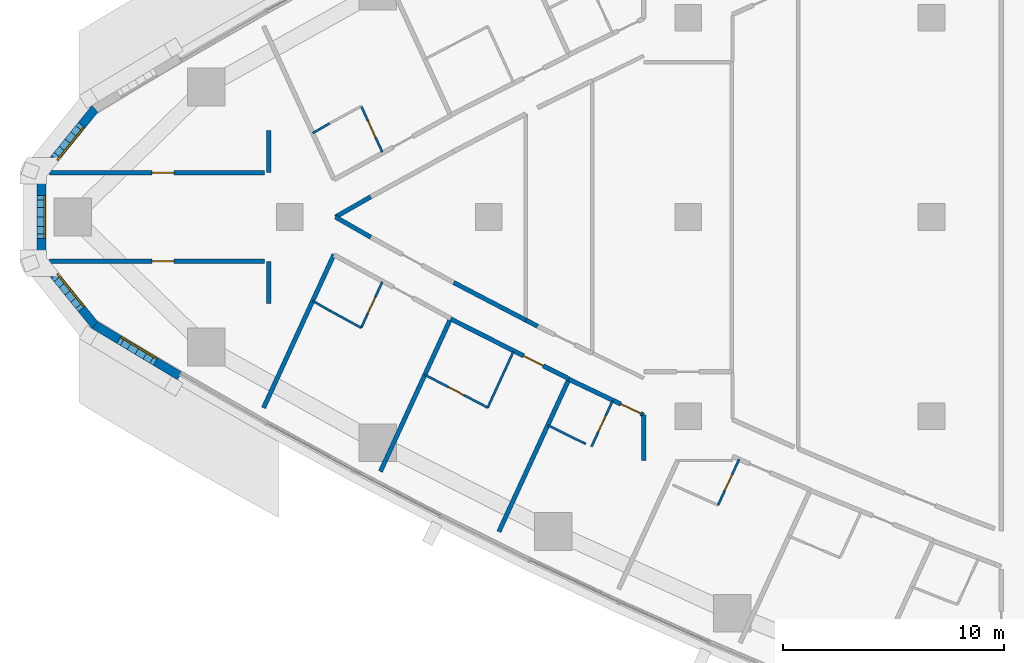
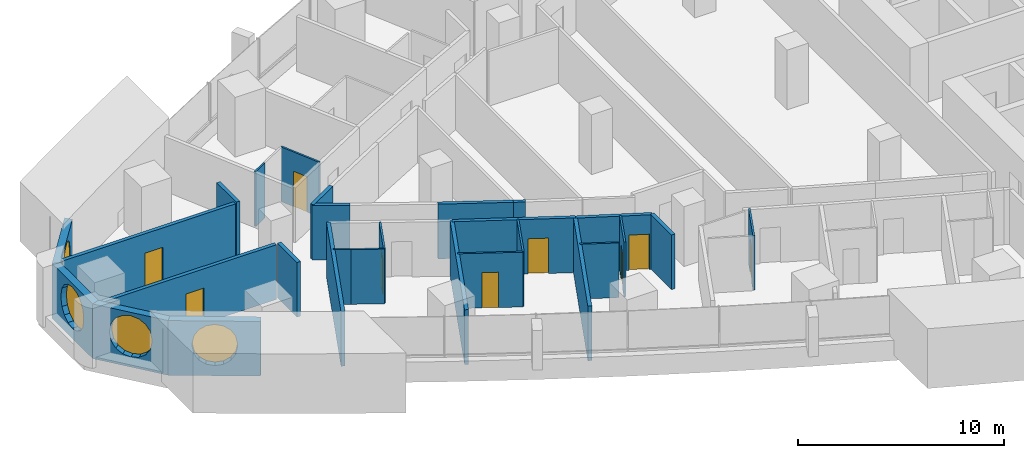
# One storey, part 8 of 17: 28 walls, 9 doors, 4 windows, 13 openings.
"""IFC4 building model written with IfcOpenShell, lengths in metres."""

from ifc_helpers import new_model, si_unit, direction, frame, frame_2d, origin, place, context, subcontext, project, spatial, polyline, rectangle, outline, extrude, material, layer, layer_set, type_object, element, fill, save


model = new_model("IFC4")

# Units and contexts
model_context = context("Model", 3, precision=1e-05, world=origin(), true_north=direction((0.0, 1.0)))
body_context = subcontext(model_context, "Body", "Model", "MODEL_VIEW")
ifc_project = project(units=[si_unit("LENGTHUNIT", "METRE"), si_unit("AREAUNIT", "SQUARE_METRE"), si_unit("VOLUMEUNIT", "CUBIC_METRE"), si_unit("PLANEANGLEUNIT", "RADIAN"), si_unit("MASSUNIT", "GRAM", prefix="KILO")], contexts=[model_context])

# Site, building, storey
site_placement = place(None, origin())
site = spatial("IfcSite", under=ifc_project, at=site_placement, CompositionType="ELEMENT")
building_placement = place(site_placement, origin())
building = spatial("IfcBuilding", under=site, at=building_placement, Name="Ostrand Prow Hotel Tower", CompositionType="ELEMENT")
storey_placement = place(building_placement, frame((0.0, 0.0, 106.199951171875)))
storey = spatial("IfcBuildingStorey", under=building, at=storey_placement, Name="L25", CompositionType="ELEMENT", Elevation=106.199951171875)

# Wall
ifc_material_1 = material(Name="Plasterboard partition")
ifc_layer_1 = layer(ifc_material_1, 0.10009765625)
ifc_layer_set_1 = layer_set([ifc_layer_1], Name="Plasterboard partition")
wall_type_1 = type_object("IfcWallType", Name="Partition 100 bathroom wall", PredefinedType="PARTITIONING", material=ifc_layer_set_1)
wall_1_placement = place(storey_placement, frame((17.0361328125, 3.7900390625, 0.0), z_axis=(0.0, 0.0, 1.0), x_axis=(0.867629162742, 0.497211862248, 0.0)))
element("IfcWall", 1, at=wall_1_placement, inside=storey, type_object=wall_type_1, Name="BATHROOM WALL", PredefinedType="PARTITIONING", context=body_context, shape_type="SweptSolid", body=[
    extrude(rectangle(XDim=0.8818359375, YDim=0.10009765625, at=frame_2d((0.44091796875, 0.0))), origin(), (0.0, 0.0, 1.0), 3.25),
])

# Wall, opening, door
wall_2_placement = place(storey_placement, frame((19.2275390625, 5.00830078125, 0.0), z_axis=(0.0, 0.0, 1.0), x_axis=(0.417450047292, -0.908699872354, 0.0)))
wall_2 = element("IfcWall", 2, at=wall_2_placement, inside=storey, type_object=wall_type_1, Name="BATHROOM WALL", PredefinedType="PARTITIONING", context=body_context, shape_type="SweptSolid", body=[
    extrude(rectangle(XDim=2.28271484375, YDim=0.10009765625, at=frame_2d((1.141357421875, 0.0))), origin(), (0.0, 0.0, 1.0), 3.25),
])
opening_1_placement = place(wall_2_placement, frame((0.75, 0.0, 0.0)))
opening_1 = element("IfcOpeningElement", 3, at=opening_1_placement, cuts=wall_2, Name="Opening D2", PredefinedType="OPENING", context=body_context, shape_type="SweptSolid", body=[
    extrude(rectangle(XDim=0.800048828125, YDim=2.10009765625, at=frame_2d((0.39990234375, 1.050048828125))), frame((0.0, 0.06005859375, 0.0), z_axis=(0.0, -1.0, 0.0), x_axis=(1.0, 0.0, 0.0)), (0.0, 0.0, 1.0), 0.1201171875),
])
ifc_material_2 = material(Name="Timber door leaf", Category="wood")
door_type_1 = type_object("IfcDoorType", Name="Bathroom door 800", OperationType="SINGLE_SWING_LEFT", PredefinedType="DOOR", material=ifc_material_2)
door_1_placement = place(opening_1_placement, origin())
door_1 = element("IfcDoor", 4, at=door_1_placement, inside=storey, type_object=door_type_1, Name="DOOR", OperationType="SINGLE_SWING_LEFT", OverallHeight=2.10009765625, OverallWidth=0.800048828125, PredefinedType="DOOR", context=body_context, shape_type="SweptSolid", body=[
    extrude(rectangle(XDim=0.800048828125, YDim=2.10009765625, at=frame_2d((0.39990234375, 1.050048828125))), frame((0.0, 0.02490234375, 0.0), z_axis=(0.0, -1.0, 0.0), x_axis=(1.0, 0.0, 0.0)), (0.0, 0.0, 1.0), 0.050048828125),
])
fill(opening_1, door_1)

wall_3_placement = place(storey_placement, frame((20.180419921875, -2.93408203125, 0.0), z_axis=(0.0, 0.0, 1.0), x_axis=(-0.417450047292, -0.908699872354, 0.0)))
wall_3 = element("IfcWall", 5, at=wall_3_placement, inside=storey, type_object=wall_type_1, Name="BATHROOM WALL", PredefinedType="PARTITIONING", context=body_context, shape_type="SweptSolid", body=[
    extrude(rectangle(XDim=2.28271484375, YDim=0.10009765625, at=frame_2d((1.141357421875, 0.0))), origin(), (0.0, 0.0, 1.0), 3.25),
])
opening_2_placement = place(wall_3_placement, frame((0.75, 0.0, 0.0)))
opening_2 = element("IfcOpeningElement", 6, at=opening_2_placement, cuts=wall_3, Name="Opening D2", PredefinedType="OPENING", context=body_context, shape_type="SweptSolid", body=[
    extrude(rectangle(XDim=0.800048828125, YDim=2.10009765625, at=frame_2d((0.39990234375, 1.050048828125))), frame((0.0, 0.06005859375, 0.0), z_axis=(0.0, -1.0, 0.0), x_axis=(1.0, 0.0, 0.0)), (0.0, 0.0, 1.0), 0.1201171875),
])
door_2_placement = place(opening_2_placement, origin())
door_2 = element("IfcDoor", 7, at=door_2_placement, inside=storey, type_object=door_type_1, Name="DOOR", OperationType="SINGLE_SWING_LEFT", OverallHeight=2.10009765625, OverallWidth=0.800048828125, PredefinedType="DOOR", context=body_context, shape_type="SweptSolid", body=[
    extrude(rectangle(XDim=0.800048828125, YDim=2.10009765625, at=frame_2d((0.39990234375, 1.050048828125))), frame((0.0, 0.02490234375, 0.0), z_axis=(0.0, -1.0, 0.0), x_axis=(1.0, 0.0, 0.0)), (0.0, 0.0, 1.0), 0.050048828125),
])
fill(opening_2, door_2)

# Walls
wall_4_placement = place(storey_placement, frame((19.2275390625, -5.00830078125, 0.0), z_axis=(0.0, 0.0, 1.0), x_axis=(-0.877424481957, 0.479714788663, 0.0)))
element("IfcWall", 8, at=wall_4_placement, inside=storey, type_object=wall_type_1, Name="BATHROOM WALL", PredefinedType="PARTITIONING", context=body_context, shape_type="SweptSolid", body=[
    extrude(rectangle(XDim=1.62548828125, YDim=0.10009765625, at=frame_2d((0.812744140625, 0.0))), origin(), (0.0, 0.0, 1.0), 3.25),
])
wall_5_placement = place(storey_placement, frame((17.80126953125, -4.228515625, 0.0), z_axis=(0.0, 0.0, 1.0), x_axis=(-0.867629162742, 0.497211862248, 0.0)))
element("IfcWall", 9, at=wall_5_placement, inside=storey, type_object=wall_type_1, Name="BATHROOM WALL", PredefinedType="PARTITIONING", context=body_context, shape_type="SweptSolid", body=[
    extrude(rectangle(XDim=0.8818359375, YDim=0.10009765625, at=frame_2d((0.44091796875, 0.0))), origin(), (0.0, 0.0, 1.0), 3.25),
])
wall_6_placement = place(storey_placement, frame((26.10595703125, -6.085205078125, 0.0), z_axis=(0.0, 0.0, 1.0), x_axis=(-0.417431588167, -0.908708352113, 0.0)))
element("IfcWall", 10, at=wall_6_placement, inside=storey, type_object=wall_type_1, Name="BATHROOM WALL", PredefinedType="PARTITIONING", context=body_context, shape_type="SweptSolid", body=[
    extrude(rectangle(XDim=2.780517578125, YDim=0.10009765625, at=frame_2d((1.39013671875, 0.0))), origin(), (0.0, 0.0, 1.0), 3.25),
])

# Wall, opening, door
wall_7_placement = place(storey_placement, frame((24.9453125, -8.61181640625, 0.0), z_axis=(0.0, 0.0, 1.0), x_axis=(-0.886865947566, 0.46202682936, 0.0)))
wall_7 = element("IfcWall", 11, at=wall_7_placement, inside=storey, type_object=wall_type_1, Name="BATHROOM WALL", PredefinedType="PARTITIONING", context=body_context, shape_type="SweptSolid", body=[
    extrude(rectangle(XDim=3.203857421875, YDim=0.10009765625, at=frame_2d((1.60205078125, 0.0))), origin(), (0.0, 0.0, 1.0), 3.25),
])
opening_3_placement = place(wall_7_placement, frame((1.199951171875, 0.0, 0.0)))
opening_3 = element("IfcOpeningElement", 12, at=opening_3_placement, cuts=wall_7, Name="Opening D2", PredefinedType="OPENING", context=body_context, shape_type="SweptSolid", body=[
    extrude(rectangle(XDim=0.800048828125, YDim=2.10009765625, at=frame_2d((0.39990234375, 1.050048828125))), frame((0.0, 0.06005859375, 0.0), z_axis=(0.0, -1.0, 0.0), x_axis=(1.0, 0.0, 0.0)), (0.0, 0.0, 1.0), 0.1201171875),
])
door_3_placement = place(opening_3_placement, origin())
door_3 = element("IfcDoor", 13, at=door_3_placement, inside=storey, type_object=door_type_1, Name="DOOR", OperationType="SINGLE_SWING_LEFT", OverallHeight=2.10009765625, OverallWidth=0.800048828125, PredefinedType="DOOR", context=body_context, shape_type="SweptSolid", body=[
    extrude(rectangle(XDim=0.800048828125, YDim=2.10009765625, at=frame_2d((0.39990234375, 1.050048828125))), frame((0.0, 0.02490234375, 0.0), z_axis=(0.0, -1.0, 0.0), x_axis=(1.0, 0.0, 0.0)), (0.0, 0.0, 1.0), 0.050048828125),
])
fill(opening_3, door_3)

wall_8_placement = place(storey_placement, frame((30.586181640625, -8.310302734375, 0.0), z_axis=(0.0, 0.0, 1.0), x_axis=(-0.417466676952, -0.908692232626, 0.0)))
wall_8 = element("IfcWall", 14, at=wall_8_placement, inside=storey, type_object=wall_type_1, Name="BATHROOM WALL", PredefinedType="PARTITIONING", context=body_context, shape_type="SweptSolid", body=[
    extrude(rectangle(XDim=2.27734375, YDim=0.10009765625, at=frame_2d((1.138671875, 0.0))), origin(), (0.0, 0.0, 1.0), 3.25),
])
opening_4_placement = place(wall_8_placement, frame((0.75, 0.0, 0.0)))
opening_4 = element("IfcOpeningElement", 15, at=opening_4_placement, cuts=wall_8, Name="Opening D2", PredefinedType="OPENING", context=body_context, shape_type="SweptSolid", body=[
    extrude(rectangle(XDim=0.800048828125, YDim=2.10009765625, at=frame_2d((0.39990234375, 1.050048828125))), frame((0.0, 0.06005859375, 0.0), z_axis=(0.0, -1.0, 0.0), x_axis=(1.0, 0.0, 0.0)), (0.0, 0.0, 1.0), 0.1201171875),
])
door_4_placement = place(opening_4_placement, origin())
door_4 = element("IfcDoor", 16, at=door_4_placement, inside=storey, type_object=door_type_1, Name="DOOR", OperationType="SINGLE_SWING_LEFT", OverallHeight=2.10009765625, OverallWidth=0.800048828125, PredefinedType="DOOR", context=body_context, shape_type="SweptSolid", body=[
    extrude(rectangle(XDim=0.800048828125, YDim=2.10009765625, at=frame_2d((0.39990234375, 1.050048828125))), frame((0.0, 0.02490234375, 0.0), z_axis=(0.0, -1.0, 0.0), x_axis=(1.0, 0.0, 0.0)), (0.0, 0.0, 1.0), 0.050048828125),
])
fill(opening_4, door_4)

# Wall
wall_9_placement = place(storey_placement, frame((29.371337890625, -10.255126953125, 0.0), z_axis=(0.0, 0.0, 1.0), x_axis=(-0.895982200486, 0.444089964324, 0.0)))
element("IfcWall", 17, at=wall_9_placement, inside=storey, type_object=wall_type_1, Name="BATHROOM WALL", PredefinedType="PARTITIONING", context=body_context, shape_type="SweptSolid", body=[
    extrude(rectangle(XDim=1.90869140625, YDim=0.10009765625, at=frame_2d((0.954345703125, 0.0))), origin(), (0.0, 0.0, 1.0), 3.25),
])

# Wall, opening, door
wall_10_placement = place(storey_placement, frame((36.3046875, -10.9541015625, 0.0), z_axis=(0.0, 0.0, 1.0), x_axis=(-0.41750734959, -0.908673545911, 0.0)))
wall_10 = element("IfcWall", 18, at=wall_10_placement, inside=storey, type_object=wall_type_1, Name="BATHROOM WALL", PredefinedType="PARTITIONING", context=body_context, shape_type="SweptSolid", body=[
    extrude(rectangle(XDim=2.277099609375, YDim=0.10009765625, at=frame_2d((1.138671875, 0.0))), origin(), (0.0, 0.0, 1.0), 3.25),
])
opening_5_placement = place(wall_10_placement, frame((0.75, 0.0, 0.0)))
opening_5 = element("IfcOpeningElement", 19, at=opening_5_placement, cuts=wall_10, Name="Opening D2", PredefinedType="OPENING", context=body_context, shape_type="SweptSolid", body=[
    extrude(rectangle(XDim=0.800048828125, YDim=2.10009765625, at=frame_2d((0.39990234375, 1.050048828125))), frame((0.0, 0.06005859375, 0.0), z_axis=(0.0, -1.0, 0.0), x_axis=(1.0, 0.0, 0.0)), (0.0, 0.0, 1.0), 0.1201171875),
])
door_5_placement = place(opening_5_placement, origin())
door_5 = element("IfcDoor", 20, at=door_5_placement, inside=storey, type_object=door_type_1, Name="DOOR", OperationType="SINGLE_SWING_LEFT", OverallHeight=2.10009765625, OverallWidth=0.800048828125, PredefinedType="DOOR", context=body_context, shape_type="SweptSolid", body=[
    extrude(rectangle(XDim=0.800048828125, YDim=2.10009765625, at=frame_2d((0.39990234375, 1.050048828125))), frame((0.0, 0.02490234375, 0.0), z_axis=(0.0, -1.0, 0.0), x_axis=(1.0, 0.0, 0.0)), (0.0, 0.0, 1.0), 0.050048828125),
])
fill(opening_5, door_5)

ifc_material_3 = material(Name="Plasterboard partition")
ifc_layer_2 = layer(ifc_material_3, 0.199951171875)
ifc_layer_set_2 = layer_set([ifc_layer_2], Name="Plasterboard partition")
wall_type_2 = type_object("IfcWallType", Name="Partition 200 corridor wall", PredefinedType="PARTITIONING", material=ifc_layer_set_2)
wall_11_placement = place(storey_placement, frame((5.144775390625, 2.0, 0.0), z_axis=(0.0, 0.0, 1.0), x_axis=(1.0, 0.0, 0.0)))
wall_11 = element("IfcWall", 21, at=wall_11_placement, inside=storey, type_object=wall_type_2, Name="CORRIDOR WALL", PredefinedType="PARTITIONING", context=body_context, shape_type="SweptSolid", body=[
    extrude(rectangle(XDim=9.708984375, YDim=0.199951171875, at=frame_2d((4.8544921875, 0.0))), origin(), (0.0, 0.0, 1.0), 3.25),
])
opening_6_placement = place(wall_11_placement, frame((4.624755859375, 0.0, 0.0)))
opening_6 = element("IfcOpeningElement", 22, at=opening_6_placement, cuts=wall_11, Name="Opening D1", PredefinedType="OPENING", context=body_context, shape_type="SweptSolid", body=[
    extrude(rectangle(XDim=1.0, YDim=2.10009765625, at=frame_2d((0.5, 1.050048828125))), frame((0.0, 0.10986328125, 0.0), z_axis=(0.0, -1.0, 0.0), x_axis=(1.0, 0.0, 0.0)), (0.0, 0.0, 1.0), 0.219970703125),
])
ifc_material_4 = material(Name="Timber door leaf", Category="wood")
door_type_2 = type_object("IfcDoorType", Name="Guest room door 1000", OperationType="SINGLE_SWING_LEFT", PredefinedType="DOOR", material=ifc_material_4)
door_6_placement = place(opening_6_placement, origin())
door_6 = element("IfcDoor", 23, at=door_6_placement, inside=storey, type_object=door_type_2, Name="DOOR", OperationType="SINGLE_SWING_LEFT", OverallHeight=2.10009765625, OverallWidth=1.0, PredefinedType="DOOR", context=body_context, shape_type="SweptSolid", body=[
    extrude(rectangle(XDim=1.0, YDim=2.10009765625, at=frame_2d((0.5, 1.050048828125))), frame((0.0, 0.02490234375, 0.0), z_axis=(0.0, -1.0, 0.0), x_axis=(1.0, 0.0, 0.0)), (0.0, 0.0, 1.0), 0.050048828125),
])
fill(opening_6, door_6)

wall_12_placement = place(storey_placement, frame((5.144775390625, -2.0, 0.0), z_axis=(0.0, 0.0, 1.0), x_axis=(1.0, 0.0, 0.0)))
wall_12 = element("IfcWall", 24, at=wall_12_placement, inside=storey, type_object=wall_type_2, Name="CORRIDOR WALL", PredefinedType="PARTITIONING", context=body_context, shape_type="SweptSolid", body=[
    extrude(rectangle(XDim=9.708984375, YDim=0.199951171875, at=frame_2d((4.8544921875, 0.0))), origin(), (0.0, 0.0, 1.0), 3.25),
])
opening_7_placement = place(wall_12_placement, frame((4.624755859375, 0.0, 0.0)))
opening_7 = element("IfcOpeningElement", 25, at=opening_7_placement, cuts=wall_12, Name="Opening D1R", PredefinedType="OPENING", context=body_context, shape_type="SweptSolid", body=[
    extrude(rectangle(XDim=1.0, YDim=2.10009765625, at=frame_2d((0.5, 1.050048828125))), frame((0.0, 0.10986328125, 0.0), z_axis=(0.0, -1.0, 0.0), x_axis=(1.0, 0.0, 0.0)), (0.0, 0.0, 1.0), 0.219970703125),
])
ifc_material_5 = material(Name="Timber door leaf", Category="wood")
door_type_3 = type_object("IfcDoorType", Name="Guest room door 1000 right", OperationType="SINGLE_SWING_RIGHT", PredefinedType="DOOR", material=ifc_material_5)
door_7_placement = place(opening_7_placement, origin())
door_7 = element("IfcDoor", 26, at=door_7_placement, inside=storey, type_object=door_type_3, Name="DOOR", OperationType="SINGLE_SWING_RIGHT", OverallHeight=2.10009765625, OverallWidth=1.0, PredefinedType="DOOR", context=body_context, shape_type="SweptSolid", body=[
    extrude(rectangle(XDim=1.0, YDim=2.10009765625, at=frame_2d((0.5, 1.050048828125))), frame((0.0, 0.02490234375, 0.0), z_axis=(0.0, -1.0, 0.0), x_axis=(1.0, 0.0, 0.0)), (0.0, 0.0, 1.0), 0.050048828125),
])
fill(opening_7, door_7)

wall_13_placement = place(storey_placement, frame((23.265625, -4.602294921875, 0.0), z_axis=(0.0, 0.0, 1.0), x_axis=(0.892007141151, -0.452021304958, 0.0)))
wall_13 = element("IfcWall", 27, at=wall_13_placement, inside=storey, type_object=wall_type_2, Name="CORRIDOR WALL", PredefinedType="PARTITIONING", context=body_context, shape_type="SweptSolid", body=[
    extrude(rectangle(XDim=6.00439453125, YDim=0.199951171875, at=frame_2d((3.002197265625, 0.0))), origin(), (0.0, 0.0, 1.0), 3.25),
])
opening_8_placement = place(wall_13_placement, frame((3.699951171875, 0.0, 0.0)))
opening_8 = element("IfcOpeningElement", 28, at=opening_8_placement, cuts=wall_13, Name="Opening D1", PredefinedType="OPENING", context=body_context, shape_type="SweptSolid", body=[
    extrude(rectangle(XDim=1.0, YDim=2.10009765625, at=frame_2d((0.5, 1.050048828125))), frame((0.0, 0.10986328125, 0.0), z_axis=(0.0, -1.0, 0.0), x_axis=(1.0, 0.0, 0.0)), (0.0, 0.0, 1.0), 0.219970703125),
])
door_8_placement = place(opening_8_placement, origin())
door_8 = element("IfcDoor", 29, at=door_8_placement, inside=storey, type_object=door_type_2, Name="DOOR", OperationType="SINGLE_SWING_LEFT", OverallHeight=2.10009765625, OverallWidth=1.0, PredefinedType="DOOR", context=body_context, shape_type="SweptSolid", body=[
    extrude(rectangle(XDim=1.0, YDim=2.10009765625, at=frame_2d((0.5, 1.050048828125))), frame((0.0, 0.02490234375, 0.0), z_axis=(0.0, -1.0, 0.0), x_axis=(1.0, 0.0, 0.0)), (0.0, 0.0, 1.0), 0.050048828125),
])
fill(opening_8, door_8)

wall_14_placement = place(storey_placement, frame((28.61328125, -7.334716796875, 0.0), z_axis=(0.0, 0.0, 1.0), x_axis=(0.902499429765, -0.430691048518, 0.0)))
wall_14 = element("IfcWall", 30, at=wall_14_placement, inside=storey, type_object=wall_type_2, Name="CORRIDOR WALL", PredefinedType="PARTITIONING", context=body_context, shape_type="SweptSolid", body=[
    extrude(rectangle(XDim=3.752685546875, YDim=0.199951171875, at=frame_2d((1.87646484375, 0.0))), origin(), (0.0, 0.0, 1.0), 3.25),
])
opening_9_placement = place(wall_14_placement, frame((2.60009765625, 0.0, 0.0)))
opening_9 = element("IfcOpeningElement", 31, at=opening_9_placement, cuts=wall_14, Name="Opening D1", PredefinedType="OPENING", context=body_context, shape_type="SweptSolid", body=[
    extrude(rectangle(XDim=1.0, YDim=2.10009765625, at=frame_2d((0.5, 1.050048828125))), frame((0.0, 0.10986328125, 0.0), z_axis=(0.0, -1.0, 0.0), x_axis=(1.0, 0.0, 0.0)), (0.0, 0.0, 1.0), 0.219970703125),
])
door_9_placement = place(opening_9_placement, origin())
door_9 = element("IfcDoor", 32, at=door_9_placement, inside=storey, type_object=door_type_2, Name="DOOR", OperationType="SINGLE_SWING_LEFT", OverallHeight=2.10009765625, OverallWidth=1.0, PredefinedType="DOOR", context=body_context, shape_type="SweptSolid", body=[
    extrude(rectangle(XDim=1.0, YDim=2.10009765625, at=frame_2d((0.5, 1.050048828125))), frame((0.0, 0.02490234375, 0.0), z_axis=(0.0, -1.0, 0.0), x_axis=(1.0, 0.0, 0.0)), (0.0, 0.0, 1.0), 0.050048828125),
])
fill(opening_9, door_9)

# Walls
for number, where, z_axis, x_axis, name in (
    (33, (19.6572265625, -0.912353515625, 0.0), (0.0, 0.0, 1.0), (-0.867694156962, 0.49709843087, 0.0), "CORRIDOR WALL"),
    (34, (18.064697265625, 0.0, 0.0), (0.0, 0.0, 1.0), (0.867694156962, 0.49709843087, 0.0), "CORRIDOR WALL"),
):
    element("IfcWall", number, at=place(storey_placement, frame(where, z_axis=z_axis, x_axis=x_axis)), inside=storey, type_object=wall_type_2, Name=name, PredefinedType="PARTITIONING", context=body_context, shape_type="SweptSolid", body=[
        extrude(rectangle(XDim=1.83544921875, YDim=0.199951171875, at=frame_2d((0.917724609375, 0.0))), origin(), (0.0, 0.0, 1.0), 3.25),
    ])
wall_15_placement = place(storey_placement, frame((26.66650390625, -4.659912109375, 0.0), z_axis=(0.0, 0.0, 1.0), x_axis=(-0.886891405098, 0.46197796004, 0.0)))
element("IfcWall", 35, at=wall_15_placement, inside=storey, type_object=wall_type_2, Name="CORRIDOR WALL", PredefinedType="PARTITIONING", context=body_context, shape_type="SweptSolid", body=[
    extrude(rectangle(XDim=3.675537109375, YDim=0.199951171875, at=frame_2d((1.837890625, 0.0))), origin(), (0.0, 0.0, 1.0), 3.25),
])
wall_16_placement = place(storey_placement, frame((15.0537109375, 3.90869140625, 0.0), z_axis=(0.0, 0.0, 1.0), x_axis=(0.0, -1.0, 0.0)))
element("IfcWall", 36, at=wall_16_placement, inside=storey, type_object=wall_type_2, Name="CORRIDOR WALL", PredefinedType="PARTITIONING", context=body_context, shape_type="SweptSolid", body=[
    extrude(rectangle(XDim=1.90380859375, YDim=0.199951171875, at=frame_2d((0.951904296875, 0.0))), origin(), (0.0, 0.0, 1.0), 3.25),
])
wall_17_placement = place(storey_placement, frame((15.0537109375, -2.0048828125, 0.0), z_axis=(0.0, 0.0, 1.0), x_axis=(0.0, -1.0, 0.0)))
element("IfcWall", 37, at=wall_17_placement, inside=storey, type_object=wall_type_2, Name="CORRIDOR WALL", PredefinedType="PARTITIONING", context=body_context, shape_type="SweptSolid", body=[
    extrude(rectangle(XDim=1.908447265625, YDim=0.199951171875, at=frame_2d((0.9541015625, 0.0))), origin(), (0.0, 0.0, 1.0), 3.25),
])
wall_18_placement = place(storey_placement, frame((32.0, -8.950927734375, 0.0), z_axis=(0.0, 0.0, 1.0), x_axis=(-0.001665276625, -0.999998613426, 0.0)))
element("IfcWall", 38, at=wall_18_placement, inside=storey, type_object=wall_type_2, Name="CORRIDOR WALL", PredefinedType="PARTITIONING", context=body_context, shape_type="SweptSolid", body=[
    extrude(rectangle(XDim=2.052490234375, YDim=0.199951171875, at=frame_2d((1.0263671875, 0.0))), origin(), (0.0, 0.0, 1.0), 3.25),
])
wall_19_placement = place(storey_placement, frame((27.1962890625, -4.935791015625, 0.0), z_axis=(0.0, 0.0, 1.0), x_axis=(-0.886948968309, 0.46186743511, 0.0)))
element("IfcWall", 39, at=wall_19_placement, inside=storey, type_object=wall_type_2, Name="CORRIDOR WALL", PredefinedType="PARTITIONING", context=body_context, shape_type="SweptSolid", body=[
    extrude(rectangle(XDim=0.597412109375, YDim=0.199951171875, at=frame_2d((0.298828125, 0.0))), origin(), (0.0, 0.0, 1.0), 3.25),
])
ifc_material_6 = material(Name="Plasterboard partition")
ifc_layer_3 = layer(ifc_material_6, 0.199951171875)
ifc_layer_set_3 = layer_set([ifc_layer_3], Name="Plasterboard partition")
wall_type_3 = type_object("IfcWallType", Name="Partition 200 key partition", PredefinedType="PARTITIONING", material=ifc_layer_set_3)
wall_20_placement = place(storey_placement, frame((14.814697265625, -8.625732421875, 0.0), z_axis=(0.0, 0.0, 1.0), x_axis=(0.417432341259, 0.908708006166, 0.0)))
element("IfcWall", 40, at=wall_20_placement, inside=storey, type_object=wall_type_3, Name="KEY PARTITION", PredefinedType="PARTITIONING", context=body_context, shape_type="SweptSolid", body=[
    extrude(rectangle(XDim=7.630615234375, YDim=0.199951171875, at=frame_2d((3.8154296875, 0.0))), origin(), (0.0, 0.0, 1.0), 3.25),
])
wall_21_placement = place(storey_placement, frame((20.09765625, -11.498779296875, 0.0), z_axis=(0.0, 0.0, 1.0), x_axis=(0.417440028355, 0.908704474913, 0.0)))
element("IfcWall", 41, at=wall_21_placement, inside=storey, type_object=wall_type_3, Name="KEY PARTITION", PredefinedType="PARTITIONING", context=body_context, shape_type="SweptSolid", body=[
    extrude(rectangle(XDim=7.609619140625, YDim=0.199951171875, at=frame_2d((3.8046875, 0.0))), origin(), (0.0, 0.0, 1.0), 3.25),
])
wall_22_placement = place(storey_placement, frame((25.44775390625, -14.2255859375, 0.0), z_axis=(0.0, 0.0, 1.0), x_axis=(0.417428513692, 0.908709764422, 0.0)))
element("IfcWall", 42, at=wall_22_placement, inside=storey, type_object=wall_type_3, Name="KEY PARTITION", PredefinedType="PARTITIONING", context=body_context, shape_type="SweptSolid", body=[
    extrude(rectangle(XDim=7.603271484375, YDim=0.199951171875, at=frame_2d((3.8017578125, 0.0))), origin(), (0.0, 0.0, 1.0), 3.25),
])

# Wall, opening, window
ifc_material_7 = material(Name="Precast concrete C40/50", Category="concrete")
ifc_layer_4 = layer(ifc_material_7, 0.39990234375)
ifc_layer_set_4 = layer_set([ifc_layer_4], Name="Precast concrete C40/50")
wall_type_4 = type_object("IfcWallType", Name="Stone-faced precast wall 400 mm", PredefinedType="NOTDEFINED", material=ifc_layer_set_4)
wall_23_placement = place(storey_placement, frame((7.1943359375, 4.8876953125, 0.0), z_axis=(0.0, 0.0, 1.0), x_axis=(-0.62903486133, -0.777377092042, 0.0)))
wall_23 = element("IfcWall", 43, at=wall_23_placement, inside=storey, type_object=wall_type_4, Name="Stone-faced wall prow 2", PredefinedType="NOTDEFINED", context=body_context, shape_type="SweptSolid", body=[
    extrude(outline(polyline([(-0.035400390625, -0.199951171875), (3.897216796875, -0.199951171875), (3.755615234375, 0.199951171875), (0.035400390625, 0.199951171875), (-0.035400390625, -0.199951171875)])), origin(), (0.0, 0.0, 1.0), 3.25),
])
opening_10_placement = place(wall_23_placement, frame((0.813232421875, 0.0, 0.60009765625)))
opening_10 = element("IfcOpeningElement", 44, at=opening_10_placement, cuts=wall_23, Name="Opening WP2", PredefinedType="OPENING", context=body_context, shape_type="SweptSolid", body=[
    extrude(outline(polyline([(0.0, 1.35009765625), (0.083740234375, 1.77099609375), (0.322265625, 2.127685546875), (0.678955078125, 2.3662109375), (1.10009765625, 2.449951171875), (1.52099609375, 2.3662109375), (1.877685546875, 2.127685546875), (2.1162109375, 1.77099609375), (2.199951171875, 1.35009765625), (2.199951171875, 1.10009765625), (2.1162109375, 0.678955078125), (1.877685546875, 0.322265625), (1.52099609375, 0.083740234375), (1.10009765625, 0.0), (0.678955078125, 0.083740234375), (0.322265625, 0.322265625), (0.083740234375, 0.678955078125), (0.0, 1.099853515625), (0.0, 1.35009765625)])), frame((0.0, 0.2099609375, 0.0), z_axis=(0.0, -1.0, 0.0), x_axis=(1.0, 0.0, 0.0)), (0.0, 0.0, 1.0), 0.419921875),
])
ifc_material_8 = material(Name="Insulated glass in bronze frame", Category="glass")
window_type = type_object("IfcWindowType", Name="Round-ended prow lounge window 2200x2450", PartitioningType="SINGLE_PANEL", PredefinedType="WINDOW", material=ifc_material_8)
window_1_placement = place(opening_10_placement, origin())
window_1 = element("IfcWindow", 45, at=window_1_placement, inside=storey, type_object=window_type, Name="Window prow 2.1", OverallHeight=2.449951171875, OverallWidth=2.199951171875, PartitioningType="SINGLE_PANEL", PredefinedType="WINDOW", context=body_context, shape_type="SweptSolid", body=[
    extrude(outline(polyline([(0.0, 1.35009765625), (0.083740234375, 1.77099609375), (0.322265625, 2.127685546875), (0.678955078125, 2.3662109375), (1.10009765625, 2.449951171875), (1.52099609375, 2.3662109375), (1.877685546875, 2.127685546875), (2.1162109375, 1.77099609375), (2.199951171875, 1.35009765625), (2.199951171875, 1.10009765625), (2.1162109375, 0.678955078125), (1.877685546875, 0.322265625), (1.52099609375, 0.083740234375), (1.10009765625, 0.0), (0.678955078125, 0.083740234375), (0.322265625, 0.322265625), (0.083740234375, 0.678955078125), (0.0, 1.099853515625), (0.0, 1.35009765625)])), frame((0.0, 0.169921875, 0.0), z_axis=(0.0, -1.0, 0.0), x_axis=(1.0, 0.0, 0.0)), (0.0, 0.0, 1.0), 0.06005859375),
])
fill(opening_10, window_1)

wall_24_placement = place(storey_placement, frame((4.787353515625, 1.9130859375, 0.0), z_axis=(0.0, 0.0, 1.0), x_axis=(0.0, -1.0, 0.0)))
wall_24 = element("IfcWall", 46, at=wall_24_placement, inside=storey, type_object=wall_type_4, Name="Stone-faced wall prow 3", PredefinedType="NOTDEFINED", context=body_context, shape_type="SweptSolid", body=[
    extrude(outline(polyline([(-0.07080078125, -0.199951171875), (3.89697265625, -0.199951171875), (3.75537109375, 0.199951171875), (0.07080078125, 0.199951171875), (-0.07080078125, -0.199951171875)])), origin(), (0.0, 0.0, 1.0), 3.25),
])
opening_11_placement = place(wall_24_placement, frame((0.813232421875, 0.0, 0.60009765625)))
opening_11 = element("IfcOpeningElement", 47, at=opening_11_placement, cuts=wall_24, Name="Opening WP2", PredefinedType="OPENING", context=body_context, shape_type="SweptSolid", body=[
    extrude(outline(polyline([(0.0, 1.35009765625), (0.083740234375, 1.77099609375), (0.322265625, 2.127685546875), (0.678955078125, 2.3662109375), (1.10009765625, 2.449951171875), (1.52099609375, 2.3662109375), (1.877685546875, 2.127685546875), (2.1162109375, 1.77099609375), (2.199951171875, 1.35009765625), (2.199951171875, 1.10009765625), (2.1162109375, 0.678955078125), (1.877685546875, 0.322265625), (1.52099609375, 0.083740234375), (1.10009765625, 0.0), (0.678955078125, 0.083740234375), (0.322265625, 0.322265625), (0.083740234375, 0.678955078125), (0.0, 1.099853515625), (0.0, 1.35009765625)])), frame((0.0, 0.2099609375, 0.0), z_axis=(0.0, -1.0, 0.0), x_axis=(1.0, 0.0, 0.0)), (0.0, 0.0, 1.0), 0.419921875),
])
window_2_placement = place(opening_11_placement, origin())
window_2 = element("IfcWindow", 48, at=window_2_placement, inside=storey, type_object=window_type, Name="Window prow 3.1", OverallHeight=2.449951171875, OverallWidth=2.199951171875, PartitioningType="SINGLE_PANEL", PredefinedType="WINDOW", context=body_context, shape_type="SweptSolid", body=[
    extrude(outline(polyline([(0.0, 1.35009765625), (0.083740234375, 1.77099609375), (0.322265625, 2.127685546875), (0.678955078125, 2.3662109375), (1.10009765625, 2.449951171875), (1.52099609375, 2.3662109375), (1.877685546875, 2.127685546875), (2.1162109375, 1.77099609375), (2.199951171875, 1.35009765625), (2.199951171875, 1.10009765625), (2.1162109375, 0.678955078125), (1.877685546875, 0.322265625), (1.52099609375, 0.083740234375), (1.10009765625, 0.0), (0.678955078125, 0.083740234375), (0.322265625, 0.322265625), (0.083740234375, 0.678955078125), (0.0, 1.099853515625), (0.0, 1.35009765625)])), frame((0.0, 0.169921875, 0.0), z_axis=(0.0, -1.0, 0.0), x_axis=(1.0, 0.0, 0.0)), (0.0, 0.0, 1.0), 0.06005859375),
])
fill(opening_11, window_2)

wall_25_placement = place(storey_placement, frame((4.787353515625, -1.9130859375, 0.0), z_axis=(0.0, 0.0, 1.0), x_axis=(0.62903486133, -0.777377092042, 0.0)))
wall_25 = element("IfcWall", 49, at=wall_25_placement, inside=storey, type_object=wall_type_4, Name="Stone-faced wall prow 4", PredefinedType="NOTDEFINED", context=body_context, shape_type="SweptSolid", body=[
    extrude(outline(polyline([(-0.07080078125, -0.199951171875), (3.86181640625, -0.199951171875), (3.791015625, 0.199951171875), (0.07080078125, 0.199951171875), (-0.07080078125, -0.199951171875)])), origin(), (0.0, 0.0, 1.0), 3.25),
])
opening_12_placement = place(wall_25_placement, frame((0.813232421875, 0.0, 0.60009765625)))
opening_12 = element("IfcOpeningElement", 50, at=opening_12_placement, cuts=wall_25, Name="Opening WP2", PredefinedType="OPENING", context=body_context, shape_type="SweptSolid", body=[
    extrude(outline(polyline([(0.0, 1.35009765625), (0.083740234375, 1.77099609375), (0.322265625, 2.127685546875), (0.678955078125, 2.3662109375), (1.10009765625, 2.449951171875), (1.52099609375, 2.3662109375), (1.877685546875, 2.127685546875), (2.1162109375, 1.77099609375), (2.199951171875, 1.35009765625), (2.199951171875, 1.10009765625), (2.1162109375, 0.678955078125), (1.877685546875, 0.322265625), (1.52099609375, 0.083740234375), (1.10009765625, 0.0), (0.678955078125, 0.083740234375), (0.322265625, 0.322265625), (0.083740234375, 0.678955078125), (0.0, 1.099853515625), (0.0, 1.35009765625)])), frame((0.0, 0.2099609375, 0.0), z_axis=(0.0, -1.0, 0.0), x_axis=(1.0, 0.0, 0.0)), (0.0, 0.0, 1.0), 0.419921875),
])
window_3_placement = place(opening_12_placement, origin())
window_3 = element("IfcWindow", 51, at=window_3_placement, inside=storey, type_object=window_type, Name="Window prow 4.1", OverallHeight=2.449951171875, OverallWidth=2.199951171875, PartitioningType="SINGLE_PANEL", PredefinedType="WINDOW", context=body_context, shape_type="SweptSolid", body=[
    extrude(outline(polyline([(0.0, 1.35009765625), (0.083740234375, 1.77099609375), (0.322265625, 2.127685546875), (0.678955078125, 2.3662109375), (1.10009765625, 2.449951171875), (1.52099609375, 2.3662109375), (1.877685546875, 2.127685546875), (2.1162109375, 1.77099609375), (2.199951171875, 1.35009765625), (2.199951171875, 1.10009765625), (2.1162109375, 0.678955078125), (1.877685546875, 0.322265625), (1.52099609375, 0.083740234375), (1.10009765625, 0.0), (0.678955078125, 0.083740234375), (0.322265625, 0.322265625), (0.083740234375, 0.678955078125), (0.0, 1.099853515625), (0.0, 1.35009765625)])), frame((0.0, 0.169921875, 0.0), z_axis=(0.0, -1.0, 0.0), x_axis=(1.0, 0.0, 0.0)), (0.0, 0.0, 1.0), 0.06005859375),
])
fill(opening_12, window_3)

wall_26_placement = place(storey_placement, frame((7.1943359375, -4.8876953125, 0.0), z_axis=(0.0, 0.0, 1.0), x_axis=(0.857550776474, -0.514399325202, 0.0)))
wall_26 = element("IfcWall", 52, at=wall_26_placement, inside=storey, type_object=wall_type_4, Name="Stone-faced wall prow 5", PredefinedType="NOTDEFINED", context=body_context, shape_type="SweptSolid", body=[
    extrude(outline(polyline([(-0.035400390625, -0.199951171875), (4.468017578125, -0.199951171875), (4.468017578125, 0.199951171875), (0.035400390625, 0.199951171875), (-0.035400390625, -0.199951171875)])), origin(), (0.0, 0.0, 1.0), 3.25),
])
opening_13_placement = place(wall_26_placement, frame((1.134033203125, 0.0, 0.60009765625)))
opening_13 = element("IfcOpeningElement", 53, at=opening_13_placement, cuts=wall_26, Name="Opening WP2", PredefinedType="OPENING", context=body_context, shape_type="SweptSolid", body=[
    extrude(outline(polyline([(0.0, 1.35009765625), (0.083740234375, 1.77099609375), (0.322265625, 2.127685546875), (0.678955078125, 2.3662109375), (1.10009765625, 2.449951171875), (1.52099609375, 2.3662109375), (1.877685546875, 2.127685546875), (2.1162109375, 1.77099609375), (2.199951171875, 1.35009765625), (2.199951171875, 1.10009765625), (2.1162109375, 0.678955078125), (1.877685546875, 0.322265625), (1.52099609375, 0.083740234375), (1.10009765625, 0.0), (0.678955078125, 0.083740234375), (0.322265625, 0.322265625), (0.083740234375, 0.678955078125), (0.0, 1.099853515625), (0.0, 1.35009765625)])), frame((0.0, 0.2099609375, 0.0), z_axis=(0.0, -1.0, 0.0), x_axis=(1.0, 0.0, 0.0)), (0.0, 0.0, 1.0), 0.419921875),
])
window_4_placement = place(opening_13_placement, origin())
window_4 = element("IfcWindow", 54, at=window_4_placement, inside=storey, type_object=window_type, Name="Window prow 5.1", OverallHeight=2.449951171875, OverallWidth=2.199951171875, PartitioningType="SINGLE_PANEL", PredefinedType="WINDOW", context=body_context, shape_type="SweptSolid", body=[
    extrude(outline(polyline([(0.0, 1.35009765625), (0.083740234375, 1.77099609375), (0.322265625, 2.127685546875), (0.678955078125, 2.3662109375), (1.10009765625, 2.449951171875), (1.52099609375, 2.3662109375), (1.877685546875, 2.127685546875), (2.1162109375, 1.77099609375), (2.199951171875, 1.35009765625), (2.199951171875, 1.10009765625), (2.1162109375, 0.678955078125), (1.877685546875, 0.322265625), (1.52099609375, 0.083740234375), (1.10009765625, 0.0), (0.678955078125, 0.083740234375), (0.322265625, 0.322265625), (0.083740234375, 0.678955078125), (0.0, 1.099853515625), (0.0, 1.35009765625)])), frame((0.0, 0.169921875, 0.0), z_axis=(0.0, -1.0, 0.0), x_axis=(1.0, 0.0, 0.0)), (0.0, 0.0, 1.0), 0.06005859375),
])
fill(opening_13, window_4)

save(model, "model.ifc")
